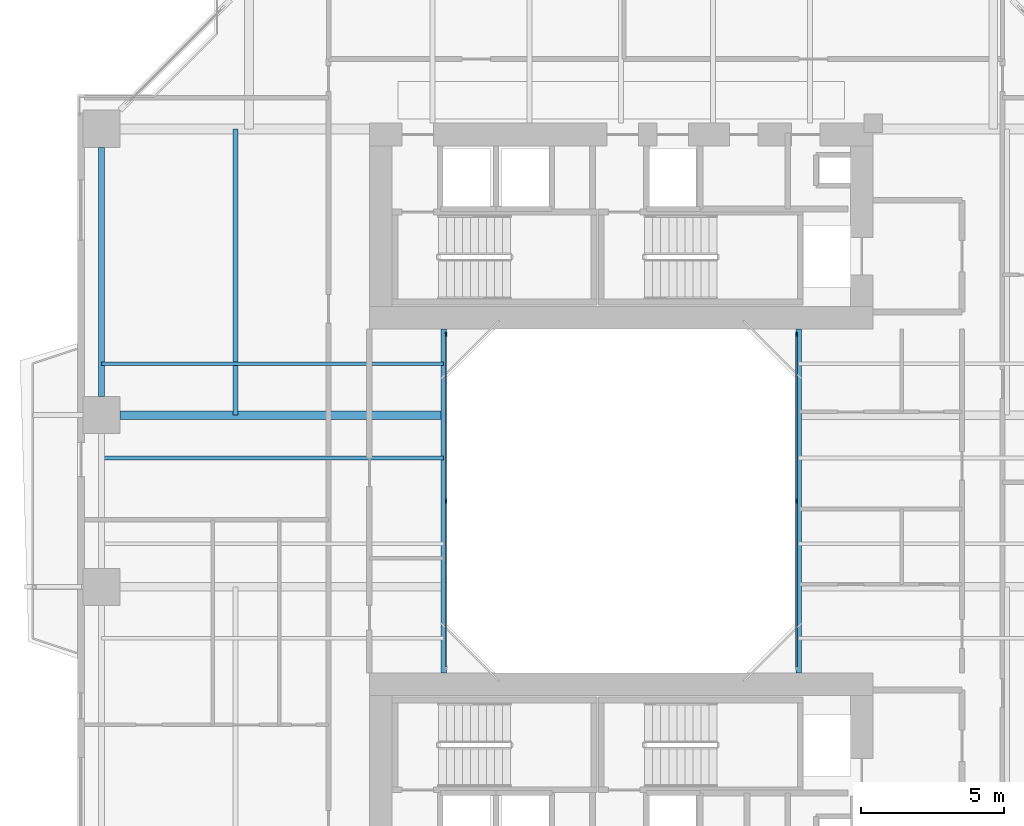
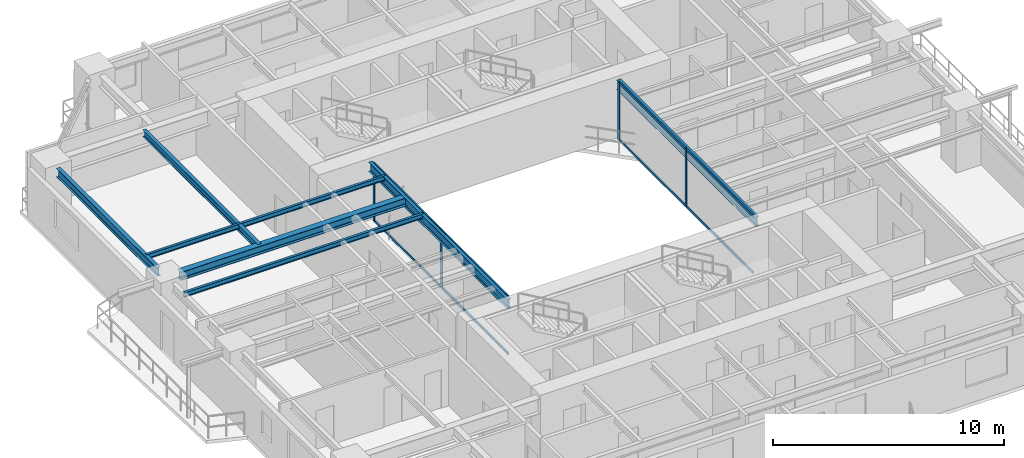
# One storey, part 4 of 23: 12 members, 7 beams, 2 elements without a shape of their own.
"""IFC4 building model written with IfcOpenShell, lengths in metres."""

from ifc_helpers import new_model, si_unit, direction, frame, origin, origin_2d, place, context, subcontext, project, spatial, rectangle, i_section, extrude, source, transform, mapped, material, layer, layer_set, material_profile, profile_set, type_object, element, aggregate, save


model = new_model("IFC4")

# Units and contexts
model_context = context("Model", 3, precision=1e-05, world=origin(), true_north=direction((0.0, 1.0)))
body_context = subcontext(model_context, "Body", "Model", "MODEL_VIEW")
ifc_project = project(units=[si_unit("LENGTHUNIT", "METRE"), si_unit("AREAUNIT", "SQUARE_METRE"), si_unit("VOLUMEUNIT", "CUBIC_METRE"), si_unit("PLANEANGLEUNIT", "RADIAN"), si_unit("MASSUNIT", "GRAM", prefix="KILO"), si_unit("THERMODYNAMICTEMPERATUREUNIT", "KELVIN"), si_unit("POWERUNIT", "WATT")], contexts=[model_context])

# Site, building, storey
site_placement = place(None, origin())
site = spatial("IfcSite", under=ifc_project, at=site_placement, CompositionType="ELEMENT")
building_placement = place(site_placement, origin())
building = spatial("IfcBuilding", under=site, at=building_placement, Name="Qiaomeng Ring Towers", CompositionType="ELEMENT")
storey_placement = place(building_placement, frame((0.0, 0.0, 26.25)))
storey = spatial("IfcBuildingStorey", under=building, at=storey_placement, Name="L06", CompositionType="ELEMENT", Elevation=26.25)

# Beams
ifc_material_1 = material(Name="Steel Q355B", Category="steel")
ifc_material_profile_1 = material_profile(ifc_material_1, i_section(OverallWidth=0.199951171875, OverallDepth=0.5, WebThickness=0.010009765625, FlangeThickness=0.01611328125, FilletRadius=0.02001953125, at=origin_2d()), Name="HN 500x200x10x16")
ifc_profile_set_1 = profile_set([ifc_material_profile_1], Name="Steel Q355B")
beam_type_1 = type_object("IfcBeamType", Name="STR-BM-HN500", PredefinedType="BEAM", material=ifc_profile_set_1)
shared_shape_1 = source(origin(), body_context, "Body", "SweptSolid", [
    extrude(i_section(OverallWidth=0.199951171875, OverallDepth=0.5, WebThickness=0.010009765625, FlangeThickness=0.01611328125, FilletRadius=0.02001953125, at=origin_2d()), origin(), (0.0, 0.0, 1.0), 12.0),
])
for number, where, z_axis, x_axis, name in (
    (1, (12.800048828125, 17.0, 2.820068359375), (0.0, 1.0, 0.0), (-1.0, 0.0, 0.0), "L06 beam STR-BM-L06-WELL-W"),
    (2, (25.199951171875, 17.0, 2.820068359375), (0.0, 1.0, 0.0), (-1.0, 0.0, 0.0), "L06 beam STR-BM-L06-WELL-E"),
):
    element("IfcBeam", number, at=place(storey_placement, frame(where, z_axis=z_axis, x_axis=x_axis)), inside=storey, type_object=beam_type_1, Name=name, PredefinedType="BEAM", context=body_context, shape_type="MappedRepresentation", body=[
        mapped(shared_shape_1, transform((0.0, 0.0, 0.0), x_axis=(1.0, 0.0, 0.0), y_axis=(0.0, 1.0, 0.0), z_axis=(0.0, 0.0, 1.0), scale=1.0)),
    ])
ifc_material_profile_2 = material_profile(ifc_material_1, i_section(OverallWidth=0.199951171875, OverallDepth=0.449951171875, WebThickness=0.009033203125, FlangeThickness=0.013916015625, FilletRadius=0.01806640625, at=origin_2d()), Name="HN 450x200x9x14")
ifc_profile_set_2 = profile_set([ifc_material_profile_2], Name="Steel Q355B")
beam_type_2 = type_object("IfcBeamType", Name="STR-BM-HN450", PredefinedType="SPANDREL", material=ifc_profile_set_2)
shared_shape_2 = source(origin(), body_context, "Body", "SweptSolid", [
    extrude(i_section(OverallWidth=0.199951171875, OverallDepth=0.449951171875, WebThickness=0.009033203125, FlangeThickness=0.013916015625, FilletRadius=0.01806640625, at=origin_2d()), origin(), (0.0, 0.0, 1.0), 8.7021484375),
])
beam_1_placement = place(storey_placement, frame((0.85009765625, 35.35107421875, 2.844970703125), z_axis=(0.0, -1.0, 0.0), x_axis=(1.0, 0.0, 0.0)))
element("IfcBeam", 3, at=beam_1_placement, inside=storey, type_object=beam_type_2, Name="L06 beam STR-SP-L06-T1-W4-W3", PredefinedType="SPANDREL", context=body_context, shape_type="MappedRepresentation", body=[
    mapped(shared_shape_2, transform((0.0, 0.0, 0.0), x_axis=(1.0, 0.0, 0.0), y_axis=(0.0, 1.0, 0.0), z_axis=(0.0, 0.0, 1.0), scale=1.0)),
])
ifc_material_profile_3 = material_profile(ifc_material_1, i_section(OverallWidth=0.300048828125, OverallDepth=0.43994140625, WebThickness=0.010986328125, FlangeThickness=0.01806640625, FilletRadius=0.02392578125, at=origin_2d()), Name="HM 440x300x11x18")
ifc_profile_set_3 = profile_set([ifc_material_profile_3], Name="Steel Q355B")
beam_type_3 = type_object("IfcBeamType", Name="STR-BM-HM440", PredefinedType="BEAM", material=ifc_profile_set_3)
shared_shape_3 = source(origin(), body_context, "Body", "SweptSolid", [
    extrude(i_section(OverallWidth=0.300048828125, OverallDepth=0.43994140625, WebThickness=0.010986328125, FlangeThickness=0.01806640625, FilletRadius=0.02392578125, at=origin_2d()), origin(), (0.0, 0.0, 1.0), 11.301025390625),
])
beam_2_placement = place(storey_placement, frame((1.4990234375, 26.0, 2.85009765625), z_axis=(1.0, 0.0, 0.0), x_axis=(0.0, 1.0, 0.0)))
element("IfcBeam", 4, at=beam_2_placement, inside=storey, type_object=beam_type_3, Name="L06 beam STR-BM-L06-T1-RAD-W3", PredefinedType="BEAM", context=body_context, shape_type="MappedRepresentation", body=[
    mapped(shared_shape_3, transform((0.0, 0.0, 0.0), x_axis=(1.0, 0.0, 0.0), y_axis=(0.0, 1.0, 0.0), z_axis=(0.0, 0.0, 1.0), scale=1.0)),
])
ifc_material_profile_4 = material_profile(ifc_material_1, i_section(OverallWidth=0.125, OverallDepth=0.25, WebThickness=0.006103515625, FlangeThickness=0.009033203125, FilletRadius=0.011962890625, at=origin_2d()), Name="HN 250x125x6x9")
ifc_profile_set_4 = profile_set([ifc_material_profile_4], Name="Steel Q355B")
beam_type_4 = type_object("IfcBeamType", Name="STR-BM-HN250", PredefinedType="JOIST", material=ifc_profile_set_4)
shared_shape_4 = source(origin(), body_context, "Body", "SweptSolid", [
    extrude(i_section(OverallWidth=0.125, OverallDepth=0.25, WebThickness=0.006103515625, FlangeThickness=0.009033203125, FilletRadius=0.011962890625, at=origin_2d()), origin(), (0.0, 0.0, 1.0), 11.949951171875),
])
for number, where, z_axis, x_axis, name in (
    (5, (0.85009765625, 24.5, 2.945068359375), (1.0, 0.0, 0.0), (0.0, 1.0, 0.0), "L06 beam STR-JST-L06-T1W-3"),
    (6, (0.85009765625, 27.800048828125, 2.945068359375), (1.0, 0.0, 0.0), (0.0, 1.0, 0.0), "L06 beam STR-JST-L06-T1W-4"),
):
    element("IfcBeam", number, at=place(storey_placement, frame(where, z_axis=z_axis, x_axis=x_axis)), inside=storey, type_object=beam_type_4, Name=name, PredefinedType="JOIST", context=body_context, shape_type="MappedRepresentation", body=[
        mapped(shared_shape_4, transform((0.0, 0.0, 0.0), x_axis=(1.0, 0.0, 0.0), y_axis=(0.0, 1.0, 0.0), z_axis=(0.0, 0.0, 1.0), scale=1.0)),
    ])
ifc_material_profile_5 = material_profile(ifc_material_1, i_section(OverallWidth=0.175048828125, OverallDepth=0.35009765625, WebThickness=0.007080078125, FlangeThickness=0.010986328125, FilletRadius=0.013916015625, at=origin_2d()), Name="HN 350x175x7x11")
ifc_profile_set_5 = profile_set([ifc_material_profile_5], Name="Steel Q355B")
beam_type_5 = type_object("IfcBeamType", Name="STR-BM-HN350", PredefinedType="JOIST", material=ifc_profile_set_5)
shared_shape_5 = source(origin(), body_context, "Body", "SweptSolid", [
    extrude(i_section(OverallWidth=0.175048828125, OverallDepth=0.35009765625, WebThickness=0.007080078125, FlangeThickness=0.010986328125, FilletRadius=0.013916015625, at=origin_2d()), origin(), (0.0, 0.0, 1.0), 10.0),
])
beam_3_placement = place(storey_placement, frame((5.52490234375, 26.0, 2.89501953125), z_axis=(0.0, 1.0, 0.0), x_axis=(-1.0, 0.0, 0.0)))
element("IfcBeam", 7, at=beam_3_placement, inside=storey, type_object=beam_type_5, Name="L06 beam STR-JST-L06-T1C-WN", PredefinedType="JOIST", context=body_context, shape_type="MappedRepresentation", body=[
    mapped(shared_shape_5, transform((0.0, 0.0, 0.0), x_axis=(1.0, 0.0, 0.0), y_axis=(0.0, 1.0, 0.0), z_axis=(0.0, 0.0, 1.0), scale=1.0)),
])

# Curtain wall, members
ifc_material_2 = material(Name="Fluorocarbon dark-grey aluminium", Category="aluminium")
ifc_layer = layer(ifc_material_2, 0.139892578125, Name="Fluorocarbon dark-grey aluminium")
ifc_layer_set = layer_set([ifc_layer], Name="Fluorocarbon dark-grey aluminium")
curtain_wall_type = type_object("IfcCurtainWallType", Name="ARC-CW-4", PredefinedType="NOTDEFINED", material=ifc_layer_set)
curtain_wall_1_placement = place(storey_placement, origin())
curtain_wall_1 = element("IfcCurtainWall", 8, at=curtain_wall_1_placement, inside=storey, type_object=curtain_wall_type, Name="L06 Curtain Wall CW4", PredefinedType="NOTDEFINED")
ifc_material_profile_6 = material_profile(ifc_material_2, rectangle(XDim=0.06494140625, YDim=0.159912109375, at=origin_2d()), Name="ALU MULL 65x160")
ifc_profile_set_6 = profile_set([ifc_material_profile_6], Name="Fluorocarbon dark-grey aluminium")
member_type_1 = type_object("IfcMemberType", Name="ARC-CWM-140", PredefinedType="MULLION", material=ifc_profile_set_6)
shared_shape_6 = source(origin(), body_context, "Body", "SweptSolid", [
    extrude(rectangle(XDim=0.06494140625, YDim=0.159912109375, at=origin_2d()), origin(), (0.0, 0.0, 1.0), 3.070068359375),
])
member_1_placement = place(storey_placement, frame((12.8798828125, 23.0, 0.0), z_axis=(0.0, 0.0, 1.0), x_axis=(-1.0, 0.0, 0.0)))
member_1 = element("IfcMember", 9, at=member_1_placement, type_object=member_type_1, Name="CW4 mullion 2", PredefinedType="MULLION", context=body_context, shape_type="MappedRepresentation", body=[
    mapped(shared_shape_6, transform((0.0, 0.0, 0.0), x_axis=(1.0, 0.0, 0.0), y_axis=(0.0, 1.0, 0.0), z_axis=(0.0, 0.0, 1.0), scale=1.0)),
])
member_2_placement = place(storey_placement, frame((12.8798828125, 28.8173828125, 0.0), z_axis=(0.0, 0.0, 1.0), x_axis=(-1.0, 0.0, 0.0)))
member_2 = element("IfcMember", 10, at=member_2_placement, type_object=member_type_1, Name="CW4 mullion 3", PredefinedType="MULLION", context=body_context, shape_type="MappedRepresentation", body=[
    mapped(shared_shape_6, transform((0.0, 0.0, 0.0), x_axis=(1.0, 0.0, 0.0), y_axis=(0.0, 1.0, 0.0), z_axis=(0.0, 0.0, 1.0), scale=1.0)),
])

curtain_wall_2_placement = place(storey_placement, origin())
curtain_wall_2 = element("IfcCurtainWall", 11, at=curtain_wall_2_placement, inside=storey, type_object=curtain_wall_type, Name="L06 Curtain Wall CW4", PredefinedType="NOTDEFINED")
member_3_placement = place(storey_placement, frame((25.1201171875, 23.0, 0.0), z_axis=(0.0, 0.0, 1.0), x_axis=(-1.0, 0.0, 0.0)))
member_3 = element("IfcMember", 12, at=member_3_placement, type_object=member_type_1, Name="CW4 mullion 2", PredefinedType="MULLION", context=body_context, shape_type="MappedRepresentation", body=[
    mapped(shared_shape_6, transform((0.0, 0.0, 0.0), x_axis=(1.0, 0.0, 0.0), y_axis=(0.0, 1.0, 0.0), z_axis=(0.0, 0.0, 1.0), scale=1.0)),
])
member_4_placement = place(storey_placement, frame((25.1201171875, 28.8173828125, 0.0), z_axis=(0.0, 0.0, 1.0), x_axis=(-1.0, 0.0, 0.0)))
member_4 = element("IfcMember", 13, at=member_4_placement, type_object=member_type_1, Name="CW4 mullion 3", PredefinedType="MULLION", context=body_context, shape_type="MappedRepresentation", body=[
    mapped(shared_shape_6, transform((0.0, 0.0, 0.0), x_axis=(1.0, 0.0, 0.0), y_axis=(0.0, 1.0, 0.0), z_axis=(0.0, 0.0, 1.0), scale=1.0)),
])

# Member
ifc_material_profile_7 = material_profile(ifc_material_2, rectangle(XDim=0.06494140625, YDim=0.1298828125, at=origin_2d()), Name="ALU TRAN 65x130")
ifc_profile_set_7 = profile_set([ifc_material_profile_7], Name="Fluorocarbon dark-grey aluminium")
member_type_2 = type_object("IfcMemberType", Name="ARC-CWT-120", PredefinedType="USERDEFINED", material=ifc_profile_set_7)
shared_shape_7 = source(origin(), body_context, "Body", "SweptSolid", [
    extrude(rectangle(XDim=0.06494140625, YDim=0.1298828125, at=origin_2d()), origin(), (0.0, 0.0, 1.0), 5.75244140625),
])
member_5_placement = place(storey_placement, frame((12.8798828125, 17.215087890625, 0.032470703125), z_axis=(0.0, 1.0, 0.0), x_axis=(-1.0, 0.0, 0.0)))
member_5 = element("IfcMember", 14, at=member_5_placement, type_object=member_type_2, Name="CW4 transom 1.1", ObjectType="TRANSOM", PredefinedType="USERDEFINED", context=body_context, shape_type="MappedRepresentation", body=[
    mapped(shared_shape_7, transform((0.0, 0.0, 0.0), x_axis=(1.0, 0.0, 0.0), y_axis=(0.0, 1.0, 0.0), z_axis=(0.0, 0.0, 1.0), scale=1.0)),
])

member_6_placement = place(storey_placement, frame((12.8798828125, 17.215087890625, 3.03759765625), z_axis=(0.0, 1.0, 0.0), x_axis=(-1.0, 0.0, 0.0)))
member_6 = element("IfcMember", 15, at=member_6_placement, type_object=member_type_2, Name="CW4 transom 1.2", ObjectType="TRANSOM", PredefinedType="USERDEFINED", context=body_context, shape_type="MappedRepresentation", body=[
    mapped(shared_shape_7, transform((0.0, 0.0, 0.0), x_axis=(1.0, 0.0, 0.0), y_axis=(0.0, 1.0, 0.0), z_axis=(0.0, 0.0, 1.0), scale=1.0)),
])

member_7_placement = place(storey_placement, frame((12.8798828125, 23.032470703125, 0.032470703125), z_axis=(0.0, 1.0, 0.0), x_axis=(-1.0, 0.0, 0.0)))
member_7 = element("IfcMember", 16, at=member_7_placement, type_object=member_type_2, Name="CW4 transom 2.1", ObjectType="TRANSOM", PredefinedType="USERDEFINED", context=body_context, shape_type="MappedRepresentation", body=[
    mapped(shared_shape_7, transform((0.0, 0.0, 0.0), x_axis=(1.0, 0.0, 0.0), y_axis=(0.0, 1.0, 0.0), z_axis=(0.0, 0.0, 1.0), scale=1.0)),
])

member_8_placement = place(storey_placement, frame((12.8798828125, 23.032470703125, 3.03759765625), z_axis=(0.0, 1.0, 0.0), x_axis=(-1.0, 0.0, 0.0)))
member_8 = element("IfcMember", 17, at=member_8_placement, type_object=member_type_2, Name="CW4 transom 2.2", ObjectType="TRANSOM", PredefinedType="USERDEFINED", context=body_context, shape_type="MappedRepresentation", body=[
    mapped(shared_shape_7, transform((0.0, 0.0, 0.0), x_axis=(1.0, 0.0, 0.0), y_axis=(0.0, 1.0, 0.0), z_axis=(0.0, 0.0, 1.0), scale=1.0)),
])

aggregate(curtain_wall_1, [member_1, member_2, member_5, member_6, member_7, member_8])

member_9_placement = place(storey_placement, frame((25.1201171875, 17.215087890625, 0.032470703125), z_axis=(0.0, 1.0, 0.0), x_axis=(-1.0, 0.0, 0.0)))
member_9 = element("IfcMember", 18, at=member_9_placement, type_object=member_type_2, Name="CW4 transom 1.1", ObjectType="TRANSOM", PredefinedType="USERDEFINED", context=body_context, shape_type="MappedRepresentation", body=[
    mapped(shared_shape_7, transform((0.0, 0.0, 0.0), x_axis=(1.0, 0.0, 0.0), y_axis=(0.0, 1.0, 0.0), z_axis=(0.0, 0.0, 1.0), scale=1.0)),
])

member_10_placement = place(storey_placement, frame((25.1201171875, 17.215087890625, 3.03759765625), z_axis=(0.0, 1.0, 0.0), x_axis=(-1.0, 0.0, 0.0)))
member_10 = element("IfcMember", 19, at=member_10_placement, type_object=member_type_2, Name="CW4 transom 1.2", ObjectType="TRANSOM", PredefinedType="USERDEFINED", context=body_context, shape_type="MappedRepresentation", body=[
    mapped(shared_shape_7, transform((0.0, 0.0, 0.0), x_axis=(1.0, 0.0, 0.0), y_axis=(0.0, 1.0, 0.0), z_axis=(0.0, 0.0, 1.0), scale=1.0)),
])

member_11_placement = place(storey_placement, frame((25.1201171875, 23.032470703125, 0.032470703125), z_axis=(0.0, 1.0, 0.0), x_axis=(-1.0, 0.0, 0.0)))
member_11 = element("IfcMember", 20, at=member_11_placement, type_object=member_type_2, Name="CW4 transom 2.1", ObjectType="TRANSOM", PredefinedType="USERDEFINED", context=body_context, shape_type="MappedRepresentation", body=[
    mapped(shared_shape_7, transform((0.0, 0.0, 0.0), x_axis=(1.0, 0.0, 0.0), y_axis=(0.0, 1.0, 0.0), z_axis=(0.0, 0.0, 1.0), scale=1.0)),
])

member_12_placement = place(storey_placement, frame((25.1201171875, 23.032470703125, 3.03759765625), z_axis=(0.0, 1.0, 0.0), x_axis=(-1.0, 0.0, 0.0)))
member_12 = element("IfcMember", 21, at=member_12_placement, type_object=member_type_2, Name="CW4 transom 2.2", ObjectType="TRANSOM", PredefinedType="USERDEFINED", context=body_context, shape_type="MappedRepresentation", body=[
    mapped(shared_shape_7, transform((0.0, 0.0, 0.0), x_axis=(1.0, 0.0, 0.0), y_axis=(0.0, 1.0, 0.0), z_axis=(0.0, 0.0, 1.0), scale=1.0)),
])

aggregate(curtain_wall_2, [member_3, member_4, member_9, member_10, member_11, member_12])

save(model, "model.ifc")
